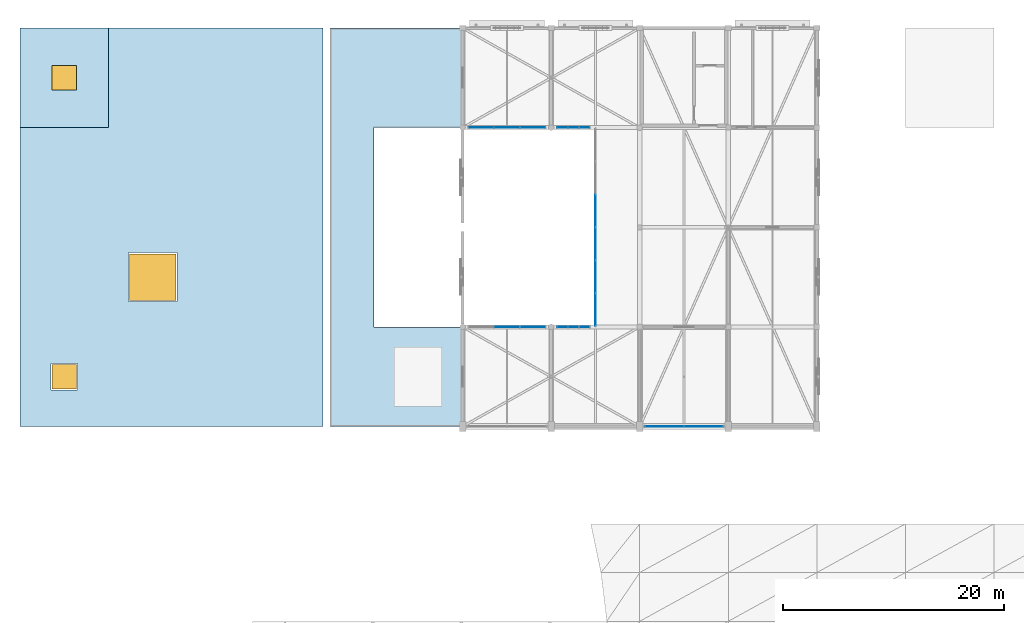
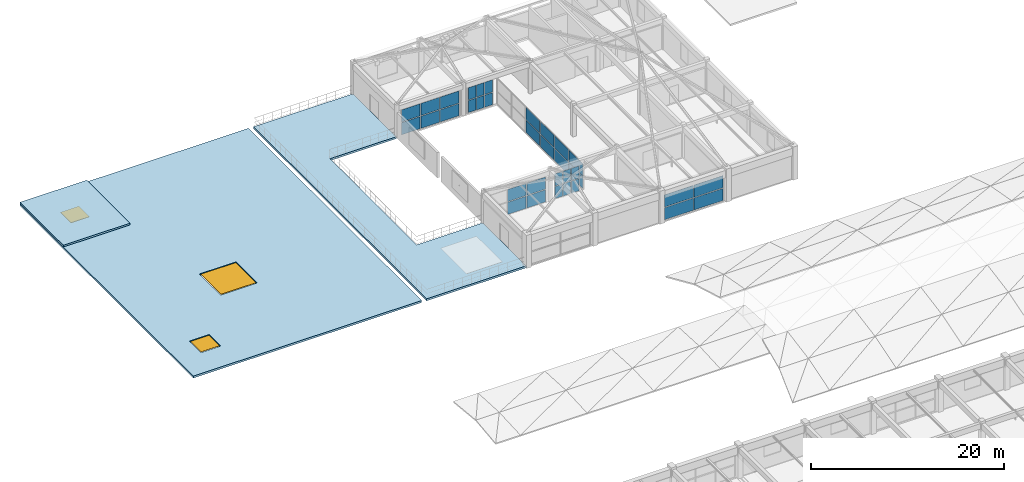
# One storey, part 39 of 63: 34 plates, 3 slabs, 3 windows, 3 openings, 7 elements without a shape of their own.
"""IFC4 building model written with IfcOpenShell, lengths in metres."""

from ifc_helpers import new_model, si_unit, direction, frame, origin, origin_2d, place, context, subcontext, project, spatial, polyline, rectangle, outline, extrude, material, layer, layer_set, type_object, element, fill, aggregate, save


model = new_model("IFC4")

# Units and contexts
model_context = context("Model", 3, precision=1e-05, world=origin(), true_north=direction((0.0, 1.0)))
body_context = subcontext(model_context, "Body", "Model", "MODEL_VIEW")
ifc_project = project(units=[si_unit("LENGTHUNIT", "METRE"), si_unit("AREAUNIT", "SQUARE_METRE"), si_unit("VOLUMEUNIT", "CUBIC_METRE"), si_unit("PLANEANGLEUNIT", "RADIAN"), si_unit("MASSUNIT", "GRAM", prefix="KILO")], contexts=[model_context])

# Site, building, storey
site_placement = place(None, origin())
site = spatial("IfcSite", under=ifc_project, at=site_placement, CompositionType="ELEMENT")
building_placement = place(site_placement, origin())
building = spatial("IfcBuilding", under=site, at=building_placement, Name="Varnabhumi Central Station", CompositionType="ELEMENT")
storey_placement = place(building_placement, frame((0.0, 0.0, 20.39990234375)))
storey = spatial("IfcBuildingStorey", under=building, at=storey_placement, Name="L04", CompositionType="ELEMENT", Elevation=20.39990234375)

# Curtain wall, plates
ifc_material_1 = material(Name="Anodised aluminium 6063-T6", Category="aluminium")
curtain_wall_type_1 = type_object("IfcCurtainWallType", Name="CW-PATIO-LOGGIA-L3", PredefinedType="NOTDEFINED", material=ifc_material_1)
curtain_wall_1_placement = place(storey_placement, origin())
curtain_wall_1 = element("IfcCurtainWall", 1, at=curtain_wall_1_placement, inside=storey, type_object=curtain_wall_type_1, Name="Curtain Wall CW-NP4W1", PredefinedType="NOTDEFINED")
ifc_material_2 = material(Name="Laminated low-E double glazing", Category="glass")
ifc_layer_1 = layer(ifc_material_2, 0.035888671875, Name="Laminated low-E double glazing", Category="glass")
ifc_layer_set_1 = layer_set([ifc_layer_1], Name="Laminated low-E double glazing")
plate_type_1 = type_object("IfcPlateType", Name="CW-PNL-GLZ-2", PredefinedType="CURTAIN_PANEL", material=ifc_layer_set_1)
plate_1_placement = place(storey_placement, frame((76.0, 90.563232421875, 0.0400390625), z_axis=(0.0, 0.0, 1.0), x_axis=(0.0, 1.0, 0.0)))
plate_1 = element("IfcPlate", 2, at=plate_1_placement, type_object=plate_type_1, Name="Glazed Panel CW-NP4W1-P11", PredefinedType="CURTAIN_PANEL", context=body_context, shape_type="SweptSolid", body=[
    extrude(rectangle(XDim=2.88671875, YDim=0.035888671875, at=origin_2d()), origin(), (0.0, 0.0, 1.0), 1.5400390625),
])
plate_2_placement = place(storey_placement, frame((76.0, 90.563232421875, 1.66015625), z_axis=(0.0, 0.0, 1.0), x_axis=(0.0, 1.0, 0.0)))
plate_2 = element("IfcPlate", 3, at=plate_2_placement, type_object=plate_type_1, Name="Glazed Panel CW-NP4W1-P12", PredefinedType="CURTAIN_PANEL", context=body_context, shape_type="SweptSolid", body=[
    extrude(rectangle(XDim=2.88671875, YDim=0.035888671875, at=origin_2d()), origin(), (0.0, 0.0, 1.0), 1.5400390625),
])
plate_3_placement = place(storey_placement, frame((76.0, 93.530029296875, 0.0400390625), z_axis=(0.0, 0.0, 1.0), x_axis=(0.0, 1.0, 0.0)))
plate_3 = element("IfcPlate", 4, at=plate_3_placement, type_object=plate_type_1, Name="Glazed Panel CW-NP4W1-P21", PredefinedType="CURTAIN_PANEL", context=body_context, shape_type="SweptSolid", body=[
    extrude(rectangle(XDim=2.88671875, YDim=0.035888671875, at=origin_2d()), origin(), (0.0, 0.0, 1.0), 1.5400390625),
])
plate_4_placement = place(storey_placement, frame((76.0, 93.530029296875, 1.66015625), z_axis=(0.0, 0.0, 1.0), x_axis=(0.0, 1.0, 0.0)))
plate_4 = element("IfcPlate", 5, at=plate_4_placement, type_object=plate_type_1, Name="Glazed Panel CW-NP4W1-P22", PredefinedType="CURTAIN_PANEL", context=body_context, shape_type="SweptSolid", body=[
    extrude(rectangle(XDim=2.88671875, YDim=0.035888671875, at=origin_2d()), origin(), (0.0, 0.0, 1.0), 1.5400390625),
])
plate_5_placement = place(storey_placement, frame((76.0, 96.49658203125, 0.0400390625), z_axis=(0.0, 0.0, 1.0), x_axis=(0.0, 1.0, 0.0)))
plate_5 = element("IfcPlate", 6, at=plate_5_placement, type_object=plate_type_1, Name="Glazed Panel CW-NP4W1-P31", PredefinedType="CURTAIN_PANEL", context=body_context, shape_type="SweptSolid", body=[
    extrude(rectangle(XDim=2.88671875, YDim=0.035888671875, at=origin_2d()), origin(), (0.0, 0.0, 1.0), 1.5400390625),
])
plate_6_placement = place(storey_placement, frame((76.0, 96.49658203125, 1.66015625), z_axis=(0.0, 0.0, 1.0), x_axis=(0.0, 1.0, 0.0)))
plate_6 = element("IfcPlate", 7, at=plate_6_placement, type_object=plate_type_1, Name="Glazed Panel CW-NP4W1-P32", PredefinedType="CURTAIN_PANEL", context=body_context, shape_type="SweptSolid", body=[
    extrude(rectangle(XDim=2.88671875, YDim=0.035888671875, at=origin_2d()), origin(), (0.0, 0.0, 1.0), 1.5400390625),
])
aggregate(curtain_wall_1, [plate_1, plate_2, plate_3, plate_4, plate_5, plate_6])

curtain_wall_2_placement = place(storey_placement, origin())
curtain_wall_2 = element("IfcCurtainWall", 8, at=curtain_wall_2_placement, inside=storey, type_object=curtain_wall_type_1, Name="Curtain Wall CW-NP4W2", PredefinedType="NOTDEFINED")
plate_7_placement = place(storey_placement, frame((76.0, 99.50341796875, 0.0400390625), z_axis=(0.0, 0.0, 1.0), x_axis=(0.0, 1.0, 0.0)))
plate_7 = element("IfcPlate", 9, at=plate_7_placement, type_object=plate_type_1, Name="Glazed Panel CW-NP4W2-P11", PredefinedType="CURTAIN_PANEL", context=body_context, shape_type="SweptSolid", body=[
    extrude(rectangle(XDim=2.88671875, YDim=0.035888671875, at=origin_2d()), origin(), (0.0, 0.0, 1.0), 1.5400390625),
])
plate_8_placement = place(storey_placement, frame((76.0, 99.50341796875, 1.66015625), z_axis=(0.0, 0.0, 1.0), x_axis=(0.0, 1.0, 0.0)))
plate_8 = element("IfcPlate", 10, at=plate_8_placement, type_object=plate_type_1, Name="Glazed Panel CW-NP4W2-P12", PredefinedType="CURTAIN_PANEL", context=body_context, shape_type="SweptSolid", body=[
    extrude(rectangle(XDim=2.88671875, YDim=0.035888671875, at=origin_2d()), origin(), (0.0, 0.0, 1.0), 1.5400390625),
])
aggregate(curtain_wall_2, [plate_7, plate_8])

curtain_wall_3_placement = place(storey_placement, origin())
curtain_wall_3 = element("IfcCurtainWall", 11, at=curtain_wall_3_placement, inside=storey, type_object=curtain_wall_type_1, Name="Curtain Wall CW-NP4S1", PredefinedType="NOTDEFINED")
ifc_layer_2 = layer(ifc_material_2, 0.035888671875, Name="Laminated low-E double glazing", Category="glass")
ifc_layer_set_2 = layer_set([ifc_layer_2], Name="Laminated low-E double glazing")
plate_type_2 = type_object("IfcPlateType", Name="CW-PNL-GLZ-4", PredefinedType="CURTAIN_PANEL", material=ifc_layer_set_2)
plate_9_placement = place(storey_placement, frame((68.0, 89.0, 0.0400390625), z_axis=(0.0, 0.0, 1.0), x_axis=(1.0, 0.0, 0.0)))
plate_9 = element("IfcPlate", 12, at=plate_9_placement, type_object=plate_type_2, Name="Glazed Panel CW-NP4S1-P21", PredefinedType="CURTAIN_PANEL", context=body_context, shape_type="SweptSolid", body=[
    extrude(rectangle(XDim=2.239990234375, YDim=0.035888671875, at=origin_2d()), origin(), (0.0, 0.0, 1.0), 1.5400390625),
])
plate_10_placement = place(storey_placement, frame((68.0, 89.0, 1.66015625), z_axis=(0.0, 0.0, 1.0), x_axis=(1.0, 0.0, 0.0)))
plate_10 = element("IfcPlate", 13, at=plate_10_placement, type_object=plate_type_2, Name="Glazed Panel CW-NP4S1-P22", PredefinedType="CURTAIN_PANEL", context=body_context, shape_type="SweptSolid", body=[
    extrude(rectangle(XDim=2.239990234375, YDim=0.035888671875, at=origin_2d()), origin(), (0.0, 0.0, 1.0), 1.5400390625),
])
plate_11_placement = place(storey_placement, frame((70.320068359375, 89.0, 0.0400390625), z_axis=(0.0, 0.0, 1.0), x_axis=(1.0, 0.0, 0.0)))
plate_11 = element("IfcPlate", 14, at=plate_11_placement, type_object=plate_type_2, Name="Glazed Panel CW-NP4S1-P31", PredefinedType="CURTAIN_PANEL", context=body_context, shape_type="SweptSolid", body=[
    extrude(rectangle(XDim=2.239990234375, YDim=0.035888671875, at=origin_2d()), origin(), (0.0, 0.0, 1.0), 1.5400390625),
])
plate_12_placement = place(storey_placement, frame((70.320068359375, 89.0, 1.66015625), z_axis=(0.0, 0.0, 1.0), x_axis=(1.0, 0.0, 0.0)))
plate_12 = element("IfcPlate", 15, at=plate_12_placement, type_object=plate_type_2, Name="Glazed Panel CW-NP4S1-P32", PredefinedType="CURTAIN_PANEL", context=body_context, shape_type="SweptSolid", body=[
    extrude(rectangle(XDim=2.239990234375, YDim=0.035888671875, at=origin_2d()), origin(), (0.0, 0.0, 1.0), 1.5400390625),
])
aggregate(curtain_wall_3, [plate_9, plate_10, plate_11, plate_12])

curtain_wall_4_placement = place(storey_placement, origin())
curtain_wall_4 = element("IfcCurtainWall", 16, at=curtain_wall_4_placement, inside=storey, type_object=curtain_wall_type_1, Name="Curtain Wall CW-NP4N1", PredefinedType="NOTDEFINED")
plate_13_placement = place(storey_placement, frame((65.679931640625, 107.0, 0.0400390625), z_axis=(0.0, 0.0, 1.0), x_axis=(1.0, 0.0, 0.0)))
plate_13 = element("IfcPlate", 17, at=plate_13_placement, type_object=plate_type_2, Name="Glazed Panel CW-NP4N1-P11", PredefinedType="CURTAIN_PANEL", context=body_context, shape_type="SweptSolid", body=[
    extrude(rectangle(XDim=2.239990234375, YDim=0.035888671875, at=origin_2d()), origin(), (0.0, 0.0, 1.0), 1.5400390625),
])
plate_14_placement = place(storey_placement, frame((65.679931640625, 107.0, 1.66015625), z_axis=(0.0, 0.0, 1.0), x_axis=(1.0, 0.0, 0.0)))
plate_14 = element("IfcPlate", 18, at=plate_14_placement, type_object=plate_type_2, Name="Glazed Panel CW-NP4N1-P12", PredefinedType="CURTAIN_PANEL", context=body_context, shape_type="SweptSolid", body=[
    extrude(rectangle(XDim=2.239990234375, YDim=0.035888671875, at=origin_2d()), origin(), (0.0, 0.0, 1.0), 1.5400390625),
])
plate_15_placement = place(storey_placement, frame((68.0, 107.0, 0.0400390625), z_axis=(0.0, 0.0, 1.0), x_axis=(1.0, 0.0, 0.0)))
plate_15 = element("IfcPlate", 19, at=plate_15_placement, type_object=plate_type_2, Name="Glazed Panel CW-NP4N1-P21", PredefinedType="CURTAIN_PANEL", context=body_context, shape_type="SweptSolid", body=[
    extrude(rectangle(XDim=2.239990234375, YDim=0.035888671875, at=origin_2d()), origin(), (0.0, 0.0, 1.0), 1.5400390625),
])
plate_16_placement = place(storey_placement, frame((68.0, 107.0, 1.66015625), z_axis=(0.0, 0.0, 1.0), x_axis=(1.0, 0.0, 0.0)))
plate_16 = element("IfcPlate", 20, at=plate_16_placement, type_object=plate_type_2, Name="Glazed Panel CW-NP4N1-P22", PredefinedType="CURTAIN_PANEL", context=body_context, shape_type="SweptSolid", body=[
    extrude(rectangle(XDim=2.239990234375, YDim=0.035888671875, at=origin_2d()), origin(), (0.0, 0.0, 1.0), 1.5400390625),
])
plate_17_placement = place(storey_placement, frame((70.320068359375, 107.0, 0.0400390625), z_axis=(0.0, 0.0, 1.0), x_axis=(1.0, 0.0, 0.0)))
plate_17 = element("IfcPlate", 21, at=plate_17_placement, type_object=plate_type_2, Name="Glazed Panel CW-NP4N1-P31", PredefinedType="CURTAIN_PANEL", context=body_context, shape_type="SweptSolid", body=[
    extrude(rectangle(XDim=2.239990234375, YDim=0.035888671875, at=origin_2d()), origin(), (0.0, 0.0, 1.0), 1.5400390625),
])
plate_18_placement = place(storey_placement, frame((70.320068359375, 107.0, 1.66015625), z_axis=(0.0, 0.0, 1.0), x_axis=(1.0, 0.0, 0.0)))
plate_18 = element("IfcPlate", 22, at=plate_18_placement, type_object=plate_type_2, Name="Glazed Panel CW-NP4N1-P32", PredefinedType="CURTAIN_PANEL", context=body_context, shape_type="SweptSolid", body=[
    extrude(rectangle(XDim=2.239990234375, YDim=0.035888671875, at=origin_2d()), origin(), (0.0, 0.0, 1.0), 1.5400390625),
])
aggregate(curtain_wall_4, [plate_13, plate_14, plate_15, plate_16, plate_17, plate_18])

curtain_wall_5_placement = place(storey_placement, origin())
curtain_wall_5 = element("IfcCurtainWall", 23, at=curtain_wall_5_placement, inside=storey, type_object=curtain_wall_type_1, Name="Curtain Wall CW-NP4S2", PredefinedType="NOTDEFINED")
plate_19_placement = place(storey_placement, frame((73.013427734375, 89.0, 0.0400390625), z_axis=(0.0, 0.0, 1.0), x_axis=(1.0, 0.0, 0.0)))
plate_19 = element("IfcPlate", 24, at=plate_19_placement, type_object=plate_type_2, Name="Glazed Panel CW-NP4S2-P11", PredefinedType="CURTAIN_PANEL", context=body_context, shape_type="SweptSolid", body=[
    extrude(rectangle(XDim=0.90673828125, YDim=0.035888671875, at=origin_2d()), origin(), (0.0, 0.0, 1.0), 1.5400390625),
])
plate_20_placement = place(storey_placement, frame((73.013427734375, 89.0, 1.66015625), z_axis=(0.0, 0.0, 1.0), x_axis=(1.0, 0.0, 0.0)))
plate_20 = element("IfcPlate", 25, at=plate_20_placement, type_object=plate_type_2, Name="Glazed Panel CW-NP4S2-P12", PredefinedType="CURTAIN_PANEL", context=body_context, shape_type="SweptSolid", body=[
    extrude(rectangle(XDim=0.90673828125, YDim=0.035888671875, at=origin_2d()), origin(), (0.0, 0.0, 1.0), 1.5400390625),
])
plate_21_placement = place(storey_placement, frame((74.0, 89.0, 0.0400390625), z_axis=(0.0, 0.0, 1.0), x_axis=(1.0, 0.0, 0.0)))
plate_21 = element("IfcPlate", 26, at=plate_21_placement, type_object=plate_type_2, Name="Glazed Panel CW-NP4S2-P21", PredefinedType="CURTAIN_PANEL", context=body_context, shape_type="SweptSolid", body=[
    extrude(rectangle(XDim=0.90673828125, YDim=0.035888671875, at=origin_2d()), origin(), (0.0, 0.0, 1.0), 1.5400390625),
])
plate_22_placement = place(storey_placement, frame((74.0, 89.0, 1.66015625), z_axis=(0.0, 0.0, 1.0), x_axis=(1.0, 0.0, 0.0)))
plate_22 = element("IfcPlate", 27, at=plate_22_placement, type_object=plate_type_2, Name="Glazed Panel CW-NP4S2-P22", PredefinedType="CURTAIN_PANEL", context=body_context, shape_type="SweptSolid", body=[
    extrude(rectangle(XDim=0.90673828125, YDim=0.035888671875, at=origin_2d()), origin(), (0.0, 0.0, 1.0), 1.5400390625),
])
plate_23_placement = place(storey_placement, frame((74.986572265625, 89.0, 0.0400390625), z_axis=(0.0, 0.0, 1.0), x_axis=(1.0, 0.0, 0.0)))
plate_23 = element("IfcPlate", 28, at=plate_23_placement, type_object=plate_type_2, Name="Glazed Panel CW-NP4S2-P31", PredefinedType="CURTAIN_PANEL", context=body_context, shape_type="SweptSolid", body=[
    extrude(rectangle(XDim=0.90673828125, YDim=0.035888671875, at=origin_2d()), origin(), (0.0, 0.0, 1.0), 1.5400390625),
])
plate_24_placement = place(storey_placement, frame((74.986572265625, 89.0, 1.66015625), z_axis=(0.0, 0.0, 1.0), x_axis=(1.0, 0.0, 0.0)))
plate_24 = element("IfcPlate", 29, at=plate_24_placement, type_object=plate_type_2, Name="Glazed Panel CW-NP4S2-P32", PredefinedType="CURTAIN_PANEL", context=body_context, shape_type="SweptSolid", body=[
    extrude(rectangle(XDim=0.90673828125, YDim=0.035888671875, at=origin_2d()), origin(), (0.0, 0.0, 1.0), 1.5400390625),
])
aggregate(curtain_wall_5, [plate_19, plate_20, plate_21, plate_22, plate_23, plate_24])

curtain_wall_6_placement = place(storey_placement, origin())
curtain_wall_6 = element("IfcCurtainWall", 30, at=curtain_wall_6_placement, inside=storey, type_object=curtain_wall_type_1, Name="Curtain Wall CW-NP4N2", PredefinedType="NOTDEFINED")
plate_25_placement = place(storey_placement, frame((73.013427734375, 107.0, 0.0400390625), z_axis=(0.0, 0.0, 1.0), x_axis=(1.0, 0.0, 0.0)))
plate_25 = element("IfcPlate", 31, at=plate_25_placement, type_object=plate_type_2, Name="Glazed Panel CW-NP4N2-P11", PredefinedType="CURTAIN_PANEL", context=body_context, shape_type="SweptSolid", body=[
    extrude(rectangle(XDim=0.90673828125, YDim=0.035888671875, at=origin_2d()), origin(), (0.0, 0.0, 1.0), 1.5400390625),
])
plate_26_placement = place(storey_placement, frame((73.013427734375, 107.0, 1.66015625), z_axis=(0.0, 0.0, 1.0), x_axis=(1.0, 0.0, 0.0)))
plate_26 = element("IfcPlate", 32, at=plate_26_placement, type_object=plate_type_2, Name="Glazed Panel CW-NP4N2-P12", PredefinedType="CURTAIN_PANEL", context=body_context, shape_type="SweptSolid", body=[
    extrude(rectangle(XDim=0.90673828125, YDim=0.035888671875, at=origin_2d()), origin(), (0.0, 0.0, 1.0), 1.5400390625),
])
plate_27_placement = place(storey_placement, frame((74.0, 107.0, 0.0400390625), z_axis=(0.0, 0.0, 1.0), x_axis=(1.0, 0.0, 0.0)))
plate_27 = element("IfcPlate", 33, at=plate_27_placement, type_object=plate_type_2, Name="Glazed Panel CW-NP4N2-P21", PredefinedType="CURTAIN_PANEL", context=body_context, shape_type="SweptSolid", body=[
    extrude(rectangle(XDim=0.90673828125, YDim=0.035888671875, at=origin_2d()), origin(), (0.0, 0.0, 1.0), 1.5400390625),
])
plate_28_placement = place(storey_placement, frame((74.0, 107.0, 1.66015625), z_axis=(0.0, 0.0, 1.0), x_axis=(1.0, 0.0, 0.0)))
plate_28 = element("IfcPlate", 34, at=plate_28_placement, type_object=plate_type_2, Name="Glazed Panel CW-NP4N2-P22", PredefinedType="CURTAIN_PANEL", context=body_context, shape_type="SweptSolid", body=[
    extrude(rectangle(XDim=0.90673828125, YDim=0.035888671875, at=origin_2d()), origin(), (0.0, 0.0, 1.0), 1.5400390625),
])
plate_29_placement = place(storey_placement, frame((74.986572265625, 107.0, 0.0400390625), z_axis=(0.0, 0.0, 1.0), x_axis=(1.0, 0.0, 0.0)))
plate_29 = element("IfcPlate", 35, at=plate_29_placement, type_object=plate_type_2, Name="Glazed Panel CW-NP4N2-P31", PredefinedType="CURTAIN_PANEL", context=body_context, shape_type="SweptSolid", body=[
    extrude(rectangle(XDim=0.90673828125, YDim=0.035888671875, at=origin_2d()), origin(), (0.0, 0.0, 1.0), 1.5400390625),
])
plate_30_placement = place(storey_placement, frame((74.986572265625, 107.0, 1.66015625), z_axis=(0.0, 0.0, 1.0), x_axis=(1.0, 0.0, 0.0)))
plate_30 = element("IfcPlate", 36, at=plate_30_placement, type_object=plate_type_2, Name="Glazed Panel CW-NP4N2-P32", PredefinedType="CURTAIN_PANEL", context=body_context, shape_type="SweptSolid", body=[
    extrude(rectangle(XDim=0.90673828125, YDim=0.035888671875, at=origin_2d()), origin(), (0.0, 0.0, 1.0), 1.5400390625),
])
aggregate(curtain_wall_6, [plate_25, plate_26, plate_27, plate_28, plate_29, plate_30])

curtain_wall_type_2 = type_object("IfcCurtainWallType", Name="CW-SPINE-SCREEN-L0", PredefinedType="NOTDEFINED", material=ifc_material_1)
curtain_wall_7_placement = place(storey_placement, origin())
curtain_wall_7 = element("IfcCurtainWall", 37, at=curtain_wall_7_placement, inside=storey, type_object=curtain_wall_type_2, Name="Curtain Wall CW-NS402", PredefinedType="NOTDEFINED")
ifc_layer_3 = layer(ifc_material_2, 0.035888671875, Name="Laminated low-E double glazing", Category="glass")
ifc_layer_set_3 = layer_set([ifc_layer_3], Name="Laminated low-E double glazing")
plate_type_3 = type_object("IfcPlateType", Name="CW-PNL-GLZ-5", PredefinedType="CURTAIN_PANEL", material=ifc_layer_set_3)
plate_31_placement = place(storey_placement, frame((82.22509765625, 80.0, 0.0400390625), z_axis=(0.0, 0.0, 1.0), x_axis=(1.0, 0.0, 0.0)))
plate_31 = element("IfcPlate", 38, at=plate_31_placement, type_object=plate_type_3, Name="Glazed Panel CW-NS402-P11", PredefinedType="CURTAIN_PANEL", context=body_context, shape_type="SweptSolid", body=[
    extrude(rectangle(XDim=3.469970703125, YDim=0.035888671875, at=origin_2d()), origin(), (0.0, 0.0, 1.0), 1.5400390625),
])
plate_32_placement = place(storey_placement, frame((82.22509765625, 80.0, 1.66015625), z_axis=(0.0, 0.0, 1.0), x_axis=(1.0, 0.0, 0.0)))
plate_32 = element("IfcPlate", 39, at=plate_32_placement, type_object=plate_type_3, Name="Glazed Panel CW-NS402-P12", PredefinedType="CURTAIN_PANEL", context=body_context, shape_type="SweptSolid", body=[
    extrude(rectangle(XDim=3.469970703125, YDim=0.035888671875, at=origin_2d()), origin(), (0.0, 0.0, 1.0), 1.5400390625),
])
plate_33_placement = place(storey_placement, frame((85.77490234375, 80.0, 0.0400390625), z_axis=(0.0, 0.0, 1.0), x_axis=(1.0, 0.0, 0.0)))
plate_33 = element("IfcPlate", 40, at=plate_33_placement, type_object=plate_type_3, Name="Glazed Panel CW-NS402-P21", PredefinedType="CURTAIN_PANEL", context=body_context, shape_type="SweptSolid", body=[
    extrude(rectangle(XDim=3.469970703125, YDim=0.035888671875, at=origin_2d()), origin(), (0.0, 0.0, 1.0), 1.5400390625),
])
plate_34_placement = place(storey_placement, frame((85.77490234375, 80.0, 1.66015625), z_axis=(0.0, 0.0, 1.0), x_axis=(1.0, 0.0, 0.0)))
plate_34 = element("IfcPlate", 41, at=plate_34_placement, type_object=plate_type_3, Name="Glazed Panel CW-NS402-P22", PredefinedType="CURTAIN_PANEL", context=body_context, shape_type="SweptSolid", body=[
    extrude(rectangle(XDim=3.469970703125, YDim=0.035888671875, at=origin_2d()), origin(), (0.0, 0.0, 1.0), 1.5400390625),
])
aggregate(curtain_wall_7, [plate_31, plate_32, plate_33, plate_34])

# Slabs
ifc_material_3 = material(Name="Concrete M40", Category="concrete")
ifc_layer_4 = layer(ifc_material_3, 0.25, Name="Concrete M40", Category="concrete")
ifc_layer_set_4 = layer_set([ifc_layer_4], Name="Concrete M40")
slab_type_1 = type_object("IfcSlabType", Name="SLB-AZOTEA-200", PredefinedType="ROOF", material=ifc_layer_set_4)
slab_1_placement = place(storey_placement, frame((0.0, 0.0, -0.25)))
element("IfcSlab", 42, at=slab_1_placement, inside=storey, type_object=slab_type_1, Name="Azotea Roof Garden Slab L04-4", PredefinedType="ROOF", context=body_context, shape_type="SweptSolid", body=[
    extrude(outline(polyline([(52.0, 80.0), (63.93994140625, 80.0), (63.93994140625, 89.0), (56.0, 89.0), (56.0, 107.0), (63.93994140625, 107.0), (63.93994140625, 116.0), (52.0, 116.0), (52.0, 80.0)])), origin(), (0.0, 0.0, 1.0), 0.25),
])
ifc_layer_5 = layer(ifc_material_3, 0.219970703125, Name="Concrete M40", Category="concrete")
ifc_layer_set_5 = layer_set([ifc_layer_5], Name="Concrete M40")
slab_type_2 = type_object("IfcSlabType", Name="SLB-ROOF-220", PredefinedType="ROOF", material=ifc_layer_set_5)
slab_2_placement = place(storey_placement, origin())
element("IfcSlab", 43, at=slab_2_placement, inside=storey, type_object=slab_type_2, Name="Weatherproof Flat Roof Slab n_l04_c1", PredefinedType="ROOF", context=body_context, shape_type="SweptSolid", body=[
    extrude(outline(polyline([(24.0, 107.0), (32.0, 107.0), (32.0, 116.0), (24.0, 116.0), (24.0, 107.0)])), origin(), (0.0, 0.0, 1.0), 0.22021484375),
])

# Slab, openings, windows
slab_3_placement = place(storey_placement, frame((0.0, 0.0, -0.25)))
slab_3 = element("IfcSlab", 44, at=slab_3_placement, inside=storey, type_object=slab_type_2, Name="Weatherproof Flat Roof Slab l04_nw_maint", PredefinedType="ROOF", context=body_context, shape_type="SweptSolid", body=[
    extrude(outline(polyline([(24.0, 80.0), (51.39990234375, 80.0), (51.39990234375, 116.0), (24.0, 116.0), (24.0, 80.0)]), holes=[polyline([(33.800048828125, 91.300048828125), (38.199951171875, 91.300048828125), (38.199951171875, 95.699951171875), (33.800048828125, 95.699951171875), (33.800048828125, 91.300048828125)]), polyline([(26.800048828125, 83.300048828125), (29.199951171875, 83.300048828125), (29.199951171875, 85.699951171875), (26.800048828125, 85.699951171875), (26.800048828125, 83.300048828125)]), polyline([(26.800048828125, 110.300048828125), (29.199951171875, 110.300048828125), (29.199951171875, 112.699951171875), (26.800048828125, 112.699951171875), (26.800048828125, 110.300048828125)])]), origin(), (0.0, 0.0, 1.0), 0.25),
])
opening_1_placement = place(slab_3_placement, frame((36.0, 93.5, 0.0)))
opening_1 = element("IfcOpeningElement", 45, at=opening_1_placement, cuts=slab_3, Name="Opening SK-2", PredefinedType="OPENING", context=body_context, shape_type="SweptSolid", body=[
    extrude(rectangle(XDim=4.199951171875, YDim=4.199951171875, at=origin_2d()), frame((0.0, 0.0, -0.010009765625)), (0.0, 0.0, 1.0), 0.27001953125),
])
opening_2_placement = place(slab_3_placement, frame((28.0, 84.5, 0.0)))
opening_2 = element("IfcOpeningElement", 46, at=opening_2_placement, cuts=slab_3, Name="Opening SK-1", PredefinedType="OPENING", context=body_context, shape_type="SweptSolid", body=[
    extrude(rectangle(XDim=2.199951171875, YDim=2.199951171875, at=origin_2d()), frame((0.0, 0.0, -0.010009765625)), (0.0, 0.0, 1.0), 0.27001953125),
])
opening_3_placement = place(slab_3_placement, frame((28.0, 111.5, 0.0)))
opening_3 = element("IfcOpeningElement", 47, at=opening_3_placement, cuts=slab_3, Name="Opening SK-1", PredefinedType="OPENING", context=body_context, shape_type="SweptSolid", body=[
    extrude(rectangle(XDim=2.199951171875, YDim=2.199951171875, at=origin_2d()), frame((0.0, 0.0, -0.010009765625)), (0.0, 0.0, 1.0), 0.27001953125),
])
window_type_1 = type_object("IfcWindowType", Name="SKY-AZOTEA-6000x6000", PartitioningType="SINGLE_PANEL", PredefinedType="SKYLIGHT", material=ifc_material_2)
window_1_placement = place(opening_2_placement, frame((0.0, 0.0, 0.199951171875)))
window_1 = element("IfcWindow", 48, at=window_1_placement, inside=storey, type_object=window_type_1, Name="Azotea Daylight Skylight 5", OverallHeight=2.199951171875, OverallWidth=2.199951171875, PartitioningType="SINGLE_PANEL", PredefinedType="SKYLIGHT", context=body_context, shape_type="SweptSolid", body=[
    extrude(rectangle(XDim=2.199951171875, YDim=2.199951171875, at=origin_2d()), origin(), (0.0, 0.0, 1.0), 0.050048828125),
])
fill(opening_2, window_1)
window_2_placement = place(opening_3_placement, frame((0.0, 0.0, 0.199951171875)))
window_2 = element("IfcWindow", 49, at=window_2_placement, inside=storey, type_object=window_type_1, Name="Azotea Daylight Skylight 6", OverallHeight=2.199951171875, OverallWidth=2.199951171875, PartitioningType="SINGLE_PANEL", PredefinedType="SKYLIGHT", context=body_context, shape_type="SweptSolid", body=[
    extrude(rectangle(XDim=2.199951171875, YDim=2.199951171875, at=origin_2d()), origin(), (0.0, 0.0, 1.0), 0.050048828125),
])
fill(opening_3, window_2)
window_type_2 = type_object("IfcWindowType", Name="SKY-AZOTEA-8000x8000", PartitioningType="SINGLE_PANEL", PredefinedType="SKYLIGHT", material=ifc_material_2)
window_3_placement = place(opening_1_placement, frame((0.0, 0.0, 0.199951171875)))
window_3 = element("IfcWindow", 50, at=window_3_placement, inside=storey, type_object=window_type_2, Name="North Roof Garden Lantern Skylight", OverallHeight=4.199951171875, OverallWidth=4.199951171875, PartitioningType="SINGLE_PANEL", PredefinedType="SKYLIGHT", context=body_context, shape_type="SweptSolid", body=[
    extrude(rectangle(XDim=4.199951171875, YDim=4.199951171875, at=origin_2d()), origin(), (0.0, 0.0, 1.0), 0.050048828125),
])
fill(opening_1, window_3)

save(model, "model.ifc")
